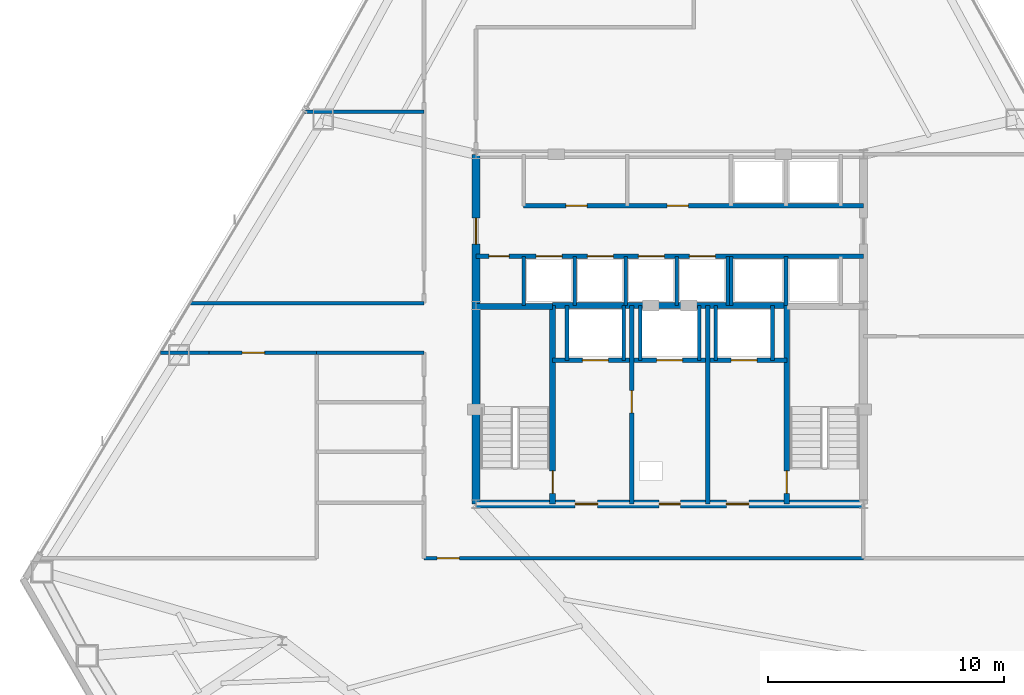
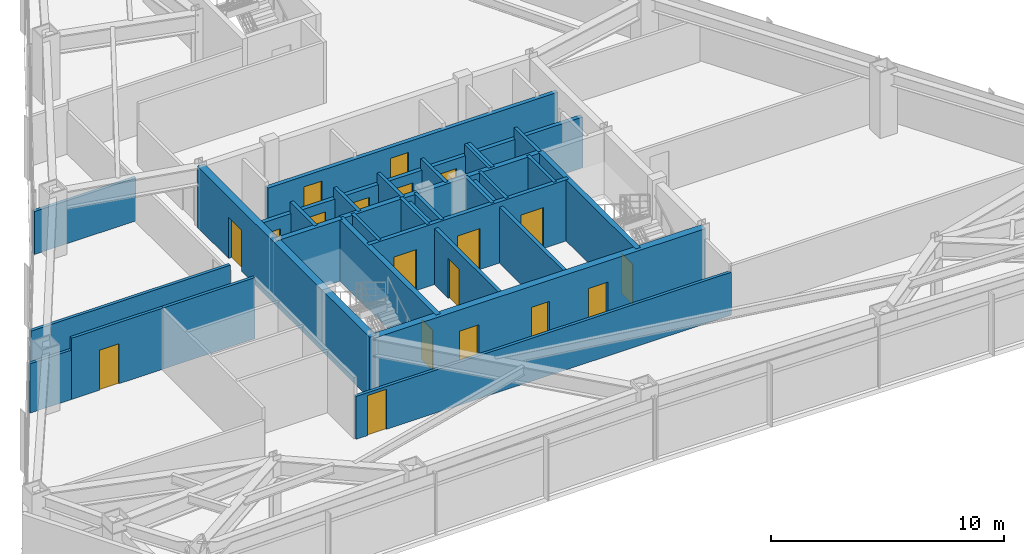
# One storey, part 9 of 11: 30 walls, 19 doors, 19 openings.
"""IFC4 building model written with IfcOpenShell, lengths in metres."""

from ifc_helpers import new_model, si_unit, direction, frame, frame_2d, origin, place, context, subcontext, project, spatial, rectangle, extrude, material, layer, layer_set, type_object, element, fill, save


model = new_model("IFC4")

# Units and contexts
model_context = context("Model", 3, precision=1e-05, world=origin(), true_north=direction((0.0, 1.0)))
body_context = subcontext(model_context, "Body", "Model", "MODEL_VIEW")
ifc_project = project(units=[si_unit("LENGTHUNIT", "METRE"), si_unit("AREAUNIT", "SQUARE_METRE"), si_unit("VOLUMEUNIT", "CUBIC_METRE"), si_unit("PLANEANGLEUNIT", "RADIAN"), si_unit("MASSUNIT", "GRAM", prefix="KILO")], contexts=[model_context])

# Site, building, storey
site_placement = place(None, origin())
site = spatial("IfcSite", under=ifc_project, at=site_placement, CompositionType="ELEMENT")
building_placement = place(site_placement, origin())
building = spatial("IfcBuilding", under=site, at=building_placement, Name="Varakhsha Concourse Tower", CompositionType="ELEMENT")
storey_placement = place(building_placement, frame((0.0, 0.0, 140.14990234375)))
storey = spatial("IfcBuildingStorey", under=building, at=storey_placement, Name="L40", CompositionType="ELEMENT", Elevation=140.14990234375)

# Wall, openings, doors
ifc_material_1 = material(Name="Concrete fc 65 MPa", Category="concrete")
ifc_layer_1 = layer(ifc_material_1, 0.35009765625, Name="WL-CORE-350")
ifc_layer_set_1 = layer_set([ifc_layer_1], Name="Concrete fc 65 MPa")
wall_type_1 = type_object("IfcWallType", Name="WL-CORE-350", PredefinedType="SHEAR", material=ifc_layer_set_1)
wall_1_placement = place(storey_placement, frame((31.800048828125, 16.39990234375, 0.0), z_axis=(0.0, 0.0, 1.0), x_axis=(1.0, 0.0, 0.0)))
wall_1 = element("IfcWall", 1, at=wall_1_placement, inside=storey, type_object=wall_type_1, Name="L40 Wall CWALL-S-L40", PredefinedType="SHEAR", context=body_context, shape_type="SweptSolid", body=[
    extrude(rectangle(XDim=16.39990234375, YDim=0.35009765625, at=frame_2d((8.199951171875, 0.0))), origin(), (0.0, 0.0, 1.0), 3.210205078125),
])
opening_1_placement = place(wall_1_placement, frame((7.75, 0.0, 0.0)))
opening_1 = element("IfcOpeningElement", 2, at=opening_1_placement, cuts=wall_1, Name="Opening DF-06", PredefinedType="OPENING", context=body_context, shape_type="SweptSolid", body=[
    extrude(rectangle(XDim=0.89990234375, YDim=2.10009765625, at=frame_2d((0.449951171875, 1.050048828125))), frame((0.0, 0.18505859375, 0.0), z_axis=(0.0, -1.0, 0.0), x_axis=(1.0, 0.0, 0.0)), (0.0, 0.0, 1.0), 0.3701171875),
])
opening_2_placement = place(wall_1_placement, frame((4.199951171875, 0.0, 0.0)))
opening_2 = element("IfcOpeningElement", 3, at=opening_2_placement, cuts=wall_1, Name="Opening DF-05", PredefinedType="OPENING", context=body_context, shape_type="SweptSolid", body=[
    extrude(rectangle(XDim=0.949951171875, YDim=2.10009765625, at=frame_2d((0.47509765625, 1.050048828125))), frame((0.0, 0.18505859375, 0.0), z_axis=(0.0, -1.0, 0.0), x_axis=(1.0, 0.0, 0.0)), (0.0, 0.0, 1.0), 0.3701171875),
])
opening_3_placement = place(wall_1_placement, frame((10.60009765625, 0.0, 0.0)))
opening_3 = element("IfcOpeningElement", 4, at=opening_3_placement, cuts=wall_1, Name="Opening DF-05", PredefinedType="OPENING", context=body_context, shape_type="SweptSolid", body=[
    extrude(rectangle(XDim=0.949951171875, YDim=2.10009765625, at=frame_2d((0.47509765625, 1.050048828125))), frame((0.0, 0.18505859375, 0.0), z_axis=(0.0, -1.0, 0.0), x_axis=(1.0, 0.0, 0.0)), (0.0, 0.0, 1.0), 0.3701171875),
])
ifc_material_2 = material(Name="Hollow Galvanised Steel Fire Door Assembly", Category="steel")
door_type_1 = type_object("IfcDoorType", Name="DR-FD60-900", OperationType="NOTDEFINED", PredefinedType="DOOR", material=ifc_material_2)
door_1_placement = place(opening_1_placement, origin())
door_1 = element("IfcDoor", 5, at=door_1_placement, inside=storey, type_object=door_type_1, Name="L40 Service Riser Vestibule Door", OperationType="SINGLE_SWING_LEFT", OverallHeight=2.10009765625, OverallWidth=0.89990234375, PredefinedType="DOOR", context=body_context, shape_type="SweptSolid", body=[
    extrude(rectangle(XDim=0.89990234375, YDim=2.10009765625, at=frame_2d((0.449951171875, 1.050048828125))), frame((0.0, 0.02490234375, 0.0), z_axis=(0.0, -1.0, 0.0), x_axis=(1.0, 0.0, 0.0)), (0.0, 0.0, 1.0), 0.050048828125),
])
fill(opening_1, door_1)
door_type_2 = type_object("IfcDoorType", Name="DR-FD60-950", OperationType="NOTDEFINED", PredefinedType="DOOR", material=ifc_material_2)
door_2_placement = place(opening_2_placement, origin())
door_2 = element("IfcDoor", 6, at=door_2_placement, inside=storey, type_object=door_type_2, Name="L40 Firefighting Lobby West Door", OperationType="SINGLE_SWING_RIGHT", OverallHeight=2.10009765625, OverallWidth=0.949951171875, PredefinedType="DOOR", context=body_context, shape_type="SweptSolid", body=[
    extrude(rectangle(XDim=0.949951171875, YDim=2.10009765625, at=frame_2d((0.47509765625, 1.050048828125))), frame((0.0, 0.02490234375, 0.0), z_axis=(0.0, -1.0, 0.0), x_axis=(1.0, 0.0, 0.0)), (0.0, 0.0, 1.0), 0.050048828125),
])
fill(opening_2, door_2)
door_3_placement = place(opening_3_placement, origin())
door_3 = element("IfcDoor", 7, at=door_3_placement, inside=storey, type_object=door_type_2, Name="L40 Firefighting Lobby East Door", OperationType="SINGLE_SWING_LEFT", OverallHeight=2.10009765625, OverallWidth=0.949951171875, PredefinedType="DOOR", context=body_context, shape_type="SweptSolid", body=[
    extrude(rectangle(XDim=0.949951171875, YDim=2.10009765625, at=frame_2d((0.47509765625, 1.050048828125))), frame((0.0, 0.02490234375, 0.0), z_axis=(0.0, -1.0, 0.0), x_axis=(1.0, 0.0, 0.0)), (0.0, 0.0, 1.0), 0.050048828125),
])
fill(opening_3, door_3)

# Wall, opening, door
wall_2_placement = place(storey_placement, frame((31.800048828125, 16.39990234375, 0.0), z_axis=(0.0, 0.0, 1.0), x_axis=(0.0, 1.0, 0.0)))
wall_2 = element("IfcWall", 8, at=wall_2_placement, inside=storey, type_object=wall_type_1, Name="L40 Wall CWALL-W-L40", PredefinedType="SHEAR", context=body_context, shape_type="SweptSolid", body=[
    extrude(rectangle(XDim=14.800048828125, YDim=0.35009765625, at=frame_2d((7.39990234375, 0.0))), origin(), (0.0, 0.0, 1.0), 3.210205078125),
])
opening_4_placement = place(wall_2_placement, frame((11.0, 0.0, 0.0)))
opening_4 = element("IfcOpeningElement", 9, at=opening_4_placement, cuts=wall_2, Name="Opening DL-01", PredefinedType="OPENING", context=body_context, shape_type="SweptSolid", body=[
    extrude(rectangle(XDim=1.10009765625, YDim=2.14990234375, at=frame_2d((0.550048828125, 1.074951171875))), frame((0.0, 0.18505859375, 0.0), z_axis=(0.0, -1.0, 0.0), x_axis=(1.0, 0.0, 0.0)), (0.0, 0.0, 1.0), 0.3701171875),
])
ifc_material_3 = material(Name="Anodised Bronze Architectural Aluminium AA 6063-T6", Category="aluminium")
door_type_3 = type_object("IfcDoorType", Name="DR-LOB-1100", OperationType="NOTDEFINED", PredefinedType="DOOR", material=ifc_material_3)
door_4_placement = place(opening_4_placement, origin())
door_4 = element("IfcDoor", 10, at=door_4_placement, inside=storey, type_object=door_type_3, Name="L40 Lift Lobby West Concourse Door", OperationType="SINGLE_SWING_LEFT", OverallHeight=2.14990234375, OverallWidth=1.10009765625, PredefinedType="DOOR", context=body_context, shape_type="SweptSolid", body=[
    extrude(rectangle(XDim=1.10009765625, YDim=2.14990234375, at=frame_2d((0.550048828125, 1.074951171875))), frame((0.0, 0.02490234375, 0.0), z_axis=(0.0, -1.0, 0.0), x_axis=(1.0, 0.0, 0.0)), (0.0, 0.0, 1.0), 0.050048828125),
])
fill(opening_4, door_4)

ifc_material_4 = material(Name="Fire-Rated Type X Gypsum Partition Assembly", Category="gypsum")
ifc_layer_2 = layer(ifc_material_4, 0.179931640625, Name="WL-FFLOB-180")
ifc_layer_set_2 = layer_set([ifc_layer_2], Name="Fire-Rated Type X Gypsum Partition Assembly")
wall_type_2 = type_object("IfcWallType", Name="WL-FFLOB-180", PredefinedType="PARTITIONING", material=ifc_layer_set_2)
wall_3_placement = place(storey_placement, frame((38.389892578125, 16.39990234375, 0.0), z_axis=(0.0, 0.0, 1.0), x_axis=(0.0, 1.0, 0.0)))
wall_3 = element("IfcWall", 11, at=wall_3_placement, inside=storey, type_object=wall_type_2, Name="L40 Wall FFW-1E-L40", PredefinedType="PARTITIONING", context=body_context, shape_type="SweptSolid", body=[
    extrude(rectangle(XDim=8.400146484375, YDim=0.179931640625, at=frame_2d((4.2001953125, 0.0))), origin(), (0.0, 0.0, 1.0), 2.93798828125),
])
opening_5_placement = place(wall_3_placement, frame((3.85009765625, 0.0, 0.0)))
opening_5 = element("IfcOpeningElement", 12, at=opening_5_placement, cuts=wall_3, Name="Opening DF-05", PredefinedType="OPENING", context=body_context, shape_type="SweptSolid", body=[
    extrude(rectangle(XDim=0.949951171875, YDim=2.10009765625, at=frame_2d((0.47509765625, 1.050048828125))), frame((0.0, 0.099853515625, 0.0), z_axis=(0.0, -1.0, 0.0), x_axis=(1.0, 0.0, 0.0)), (0.0, 0.0, 1.0), 0.199951171875),
])
door_5_placement = place(opening_5_placement, origin())
door_5 = element("IfcDoor", 13, at=door_5_placement, inside=storey, type_object=door_type_2, Name="L40 Service Vestibule Door", OperationType="SINGLE_SWING_RIGHT", OverallHeight=2.10009765625, OverallWidth=0.949951171875, PredefinedType="DOOR", context=body_context, shape_type="SweptSolid", body=[
    extrude(rectangle(XDim=0.949951171875, YDim=2.10009765625, at=frame_2d((0.47509765625, 1.050048828125))), frame((0.0, 0.02490234375, 0.0), z_axis=(0.0, -1.0, 0.0), x_axis=(1.0, 0.0, 0.0)), (0.0, 0.0, 1.0), 0.050048828125),
])
fill(opening_5, door_5)

# Wall
wall_4_placement = place(storey_placement, frame((41.610107421875, 16.39990234375, 0.0), z_axis=(0.0, 0.0, 1.0), x_axis=(0.0, 1.0, 0.0)))
element("IfcWall", 14, at=wall_4_placement, inside=storey, type_object=wall_type_2, Name="L40 Wall FFW-2W-L40", PredefinedType="PARTITIONING", context=body_context, shape_type="SweptSolid", body=[
    extrude(rectangle(XDim=8.400146484375, YDim=0.179931640625, at=frame_2d((4.2001953125, 0.0))), origin(), (0.0, 0.0, 1.0), 2.93798828125),
])

# Wall, opening, door
ifc_layer_3 = layer(ifc_material_4, 0.14990234375, Name="WL-PART-150")
ifc_layer_set_3 = layer_set([ifc_layer_3], Name="Fire-Rated Type X Gypsum Partition Assembly")
wall_type_3 = type_object("IfcWallType", Name="WL-PART-150", PredefinedType="PARTITIONING", material=ifc_layer_set_3)
wall_5_placement = place(storey_placement, frame((29.60009765625, 14.10009765625, 0.0), z_axis=(0.0, 0.0, 1.0), x_axis=(1.0, 0.0, 0.0)))
wall_5 = element("IfcWall", 15, at=wall_5_placement, inside=storey, type_object=wall_type_3, Name="L40 Wall CRW-S-L40", PredefinedType="PARTITIONING", context=body_context, shape_type="SweptSolid", body=[
    extrude(rectangle(XDim=18.599853515625, YDim=0.14990234375, at=frame_2d((9.2998046875, 0.0))), origin(), (0.0, 0.0, 1.0), 2.252197265625),
])
opening_6_placement = place(wall_5_placement, frame((0.550048828125, 0.0, 0.0)))
opening_6 = element("IfcOpeningElement", 16, at=opening_6_placement, cuts=wall_5, Name="Opening DF-05", PredefinedType="OPENING", context=body_context, shape_type="SweptSolid", body=[
    extrude(rectangle(XDim=0.949951171875, YDim=2.10009765625, at=frame_2d((0.47509765625, 1.050048828125))), frame((0.0, 0.0849609375, 0.0), z_axis=(0.0, -1.0, 0.0), x_axis=(1.0, 0.0, 0.0)), (0.0, 0.0, 1.0), 0.169921875),
])
door_6_placement = place(opening_6_placement, origin())
door_6 = element("IfcDoor", 17, at=door_6_placement, inside=storey, type_object=door_type_2, Name="L40 Portfolio Risk Office L40-S1 Door", OperationType="SINGLE_SWING_LEFT", OverallHeight=2.10009765625, OverallWidth=0.949951171875, PredefinedType="DOOR", context=body_context, shape_type="SweptSolid", body=[
    extrude(rectangle(XDim=0.949951171875, YDim=2.10009765625, at=frame_2d((0.47509765625, 1.050048828125))), frame((0.0, 0.02490234375, 0.0), z_axis=(0.0, -1.0, 0.0), x_axis=(1.0, 0.0, 0.0)), (0.0, 0.0, 1.0), 0.050048828125),
])
fill(opening_6, door_6)

# Walls
wall_6_placement = place(storey_placement, frame((18.448486328125, 22.800048828125, 0.0), z_axis=(0.0, 0.0, 1.0), x_axis=(1.0, 0.0, 0.0)))
element("IfcWall", 18, at=wall_6_placement, inside=storey, type_object=wall_type_3, Name="L40 Wall CRW-WWS-W-L40", PredefinedType="PARTITIONING", context=body_context, shape_type="SweptSolid", body=[
    extrude(rectangle(XDim=2.051513671875, YDim=0.14990234375, at=frame_2d((1.02587890625, 0.0))), origin(), (0.0, 0.0, 1.0), 2.589111328125),
])
wall_7_placement = place(storey_placement, frame((25.050048828125, 22.800048828125, 0.0), z_axis=(0.0, 0.0, 1.0), x_axis=(1.0, 0.0, 0.0)))
element("IfcWall", 19, at=wall_7_placement, inside=storey, type_object=wall_type_3, Name="L40 Wall CRW-WWS-E-L40", PredefinedType="PARTITIONING", context=body_context, shape_type="SweptSolid", body=[
    extrude(rectangle(XDim=4.550048828125, YDim=0.14990234375, at=frame_2d((2.27490234375, 0.0))), origin(), (0.0, 0.0, 1.0), 3.210205078125),
])
wall_8_placement = place(storey_placement, frame((19.703369140625, 24.89990234375, 0.0), z_axis=(0.0, 0.0, 1.0), x_axis=(1.0, 0.0, 0.0)))
element("IfcWall", 20, at=wall_8_placement, inside=storey, type_object=wall_type_3, Name="L40 Wall CRW-WWN-L40", PredefinedType="PARTITIONING", context=body_context, shape_type="SweptSolid", body=[
    extrude(rectangle(XDim=9.896728515625, YDim=0.14990234375, at=frame_2d((4.9482421875, 0.0))), origin(), (0.0, 0.0, 1.0), 2.589111328125),
])

# Wall, opening, door
wall_9_placement = place(storey_placement, frame((20.5, 22.800048828125, 0.0), z_axis=(0.0, 0.0, 1.0), x_axis=(1.0, 0.0, 0.0)))
wall_9 = element("IfcWall", 21, at=wall_9_placement, inside=storey, type_object=wall_type_3, Name="L40 Wall CRW-WWS-DOOR-L40", PredefinedType="PARTITIONING", context=body_context, shape_type="SweptSolid", body=[
    extrude(rectangle(XDim=4.550048828125, YDim=0.14990234375, at=frame_2d((2.27490234375, 0.0))), origin(), (0.0, 0.0, 1.0), 3.210205078125),
])
opening_7_placement = place(wall_9_placement, frame((1.39990234375, 0.0, 0.0)))
opening_7 = element("IfcOpeningElement", 22, at=opening_7_placement, cuts=wall_9, Name="Opening DF-05", PredefinedType="OPENING", context=body_context, shape_type="SweptSolid", body=[
    extrude(rectangle(XDim=0.949951171875, YDim=2.10009765625, at=frame_2d((0.47509765625, 1.050048828125))), frame((0.0, 0.0849609375, 0.0), z_axis=(0.0, -1.0, 0.0), x_axis=(1.0, 0.0, 0.0)), (0.0, 0.0, 1.0), 0.169921875),
])
door_7_placement = place(opening_7_placement, origin())
door_7 = element("IfcDoor", 23, at=door_7_placement, inside=storey, type_object=door_type_2, Name="L40 Institutional Client Office L40-SW Door", OperationType="SINGLE_SWING_LEFT", OverallHeight=2.10009765625, OverallWidth=0.949951171875, PredefinedType="DOOR", context=body_context, shape_type="SweptSolid", body=[
    extrude(rectangle(XDim=0.949951171875, YDim=2.10009765625, at=frame_2d((0.47509765625, 1.050048828125))), frame((0.0, 0.02490234375, 0.0), z_axis=(0.0, -1.0, 0.0), x_axis=(1.0, 0.0, 0.0)), (0.0, 0.0, 1.0), 0.050048828125),
])
fill(opening_7, door_7)

# Wall
wall_10_placement = place(storey_placement, frame((24.544189453125, 33.0, 0.0), z_axis=(0.0, 0.0, 1.0), x_axis=(1.0, 0.0, 0.0)))
element("IfcWall", 24, at=wall_10_placement, inside=storey, type_object=wall_type_3, Name="L40 Wall ODIV-W1-L40", PredefinedType="PARTITIONING", context=body_context, shape_type="SweptSolid", body=[
    extrude(rectangle(XDim=5.055908203125, YDim=0.14990234375, at=frame_2d((2.52783203125, 0.0))), origin(), (0.0, 0.0, 1.0), 2.252197265625),
])

# Wall, openings, doors
ifc_layer_4 = layer(ifc_material_4, 0.199951171875, Name="WL-SHAFT-220")
ifc_layer_set_4 = layer_set([ifc_layer_4], Name="Fire-Rated Type X Gypsum Partition Assembly")
wall_type_4 = type_object("IfcWallType", Name="WL-SHAFT-220", PredefinedType="SOLIDWALL", material=ifc_layer_set_4)
wall_11_placement = place(storey_placement, frame((35.044921875, 22.47998046875, 0.0), z_axis=(0.0, 0.0, 1.0), x_axis=(1.0, 0.0, 0.0)))
wall_11 = element("IfcWall", 25, at=wall_11_placement, inside=storey, type_object=wall_type_4, Name="L40 Wall FFW-NH-L40", PredefinedType="SOLIDWALL", context=body_context, shape_type="SweptSolid", body=[
    extrude(rectangle(XDim=9.91015625, YDim=0.199951171875, at=frame_2d((4.955078125, 0.0))), origin(), (0.0, 0.0, 1.0), 3.210205078125),
])
opening_8_placement = place(wall_11_placement, frame((1.2548828125, 0.0, 0.0)))
opening_8 = element("IfcOpeningElement", 26, at=opening_8_placement, cuts=wall_11, Name="Opening LD-FFL-1", PredefinedType="OPENING", context=body_context, shape_type="SweptSolid", body=[
    extrude(rectangle(XDim=1.10009765625, YDim=2.14990234375, at=frame_2d((0.550048828125, 1.074951171875))), frame((0.0, 0.10986328125, 0.0), z_axis=(0.0, -1.0, 0.0), x_axis=(1.0, 0.0, 0.0)), (0.0, 0.0, 1.0), 0.219970703125),
])
opening_9_placement = place(wall_11_placement, frame((7.554931640625, 0.0, 0.0)))
opening_9 = element("IfcOpeningElement", 27, at=opening_9_placement, cuts=wall_11, Name="Opening LD-FFL-2", PredefinedType="OPENING", context=body_context, shape_type="SweptSolid", body=[
    extrude(rectangle(XDim=1.10009765625, YDim=2.14990234375, at=frame_2d((0.550048828125, 1.074951171875))), frame((0.0, 0.10986328125, 0.0), z_axis=(0.0, -1.0, 0.0), x_axis=(1.0, 0.0, 0.0)), (0.0, 0.0, 1.0), 0.219970703125),
])
opening_10_placement = place(wall_11_placement, frame((4.405029296875, 0.0, 0.0)))
opening_10 = element("IfcOpeningElement", 28, at=opening_10_placement, cuts=wall_11, Name="Opening LD-SVL-1", PredefinedType="OPENING", context=body_context, shape_type="SweptSolid", body=[
    extrude(rectangle(XDim=1.10009765625, YDim=2.14990234375, at=frame_2d((0.550048828125, 1.074951171875))), frame((0.0, 0.10986328125, 0.0), z_axis=(0.0, -1.0, 0.0), x_axis=(1.0, 0.0, 0.0)), (0.0, 0.0, 1.0), 0.219970703125),
])
ifc_material_5 = material(Name="Brushed Austenitic Stainless Steel AISI 316", Category="steel")
door_type_4 = type_object("IfcDoorType", Name="DR-LD-1100", OperationType="DOUBLE_DOOR_SLIDING", PredefinedType="DOOR", material=ifc_material_5)
door_8_placement = place(opening_8_placement, origin())
door_8 = element("IfcDoor", 29, at=door_8_placement, inside=storey, type_object=door_type_4, Name="Lift Landing Door FFL-1 L40", OperationType="DOUBLE_DOOR_SLIDING", OverallHeight=2.14990234375, OverallWidth=1.10009765625, PredefinedType="DOOR", context=body_context, shape_type="SweptSolid", body=[
    extrude(rectangle(XDim=1.10009765625, YDim=2.14990234375, at=frame_2d((0.550048828125, 1.074951171875))), frame((0.0, 0.02490234375, 0.0), z_axis=(0.0, -1.0, 0.0), x_axis=(1.0, 0.0, 0.0)), (0.0, 0.0, 1.0), 0.050048828125),
])
fill(opening_8, door_8)
door_9_placement = place(opening_9_placement, origin())
door_9 = element("IfcDoor", 30, at=door_9_placement, inside=storey, type_object=door_type_4, Name="Lift Landing Door FFL-2 L40", OperationType="DOUBLE_DOOR_SLIDING", OverallHeight=2.14990234375, OverallWidth=1.10009765625, PredefinedType="DOOR", context=body_context, shape_type="SweptSolid", body=[
    extrude(rectangle(XDim=1.10009765625, YDim=2.14990234375, at=frame_2d((0.550048828125, 1.074951171875))), frame((0.0, 0.02490234375, 0.0), z_axis=(0.0, -1.0, 0.0), x_axis=(1.0, 0.0, 0.0)), (0.0, 0.0, 1.0), 0.050048828125),
])
fill(opening_9, door_9)
door_10_placement = place(opening_10_placement, origin())
door_10 = element("IfcDoor", 31, at=door_10_placement, inside=storey, type_object=door_type_4, Name="Lift Landing Door SVL-1 L40", OperationType="DOUBLE_DOOR_SLIDING", OverallHeight=2.14990234375, OverallWidth=1.10009765625, PredefinedType="DOOR", context=body_context, shape_type="SweptSolid", body=[
    extrude(rectangle(XDim=1.10009765625, YDim=2.14990234375, at=frame_2d((0.550048828125, 1.074951171875))), frame((0.0, 0.02490234375, 0.0), z_axis=(0.0, -1.0, 0.0), x_axis=(1.0, 0.0, 0.0)), (0.0, 0.0, 1.0), 0.050048828125),
])
fill(opening_10, door_10)

# Walls
for number, where, z_axis, x_axis, name in (
    (32, (35.64990234375, 22.47998046875, 0.0), (0.0, 0.0, 1.0), (0.0, 1.0, 0.0), "L40 Wall SHW-FFL-1-W-L40"),
    (33, (38.050048828125, 22.47998046875, 0.0), (0.0, 0.0, 1.0), (0.0, 1.0, 0.0), "L40 Wall SHW-FFL-1-E-L40"),
    (34, (41.949951171875, 22.47998046875, 0.0), (0.0, 0.0, 1.0), (0.0, 1.0, 0.0), "L40 Wall SHW-FFL-2-W-L40"),
    (35, (44.35009765625, 22.47998046875, 0.0), (0.0, 0.0, 1.0), (0.0, 1.0, 0.0), "L40 Wall SHW-FFL-2-E-L40"),
    (36, (38.75, 22.47998046875, 0.0), (0.0, 0.0, 1.0), (0.0, 1.0, 0.0), "L40 Wall SHW-SVL-1-W-L40"),
    (37, (41.25, 22.47998046875, 0.0), (0.0, 0.0, 1.0), (0.0, 1.0, 0.0), "L40 Wall SHW-SVL-1-E-L40"),
):
    element("IfcWall", number, at=place(storey_placement, frame(where, z_axis=z_axis, x_axis=x_axis)), inside=storey, type_object=wall_type_4, Name=name, PredefinedType="SOLIDWALL", context=body_context, shape_type="SweptSolid", body=[
        extrude(rectangle(XDim=2.320068359375, YDim=0.159912109375, at=frame_2d((1.16015625, 0.0))), origin(), (0.0, 0.0, 1.0), 3.210205078125),
    ])

# Wall, openings, doors
wall_12_placement = place(storey_placement, frame((33.820068359375, 29.02001953125, 0.0), z_axis=(0.0, 0.0, 1.0), x_axis=(1.0, 0.0, 0.0)))
wall_12 = element("IfcWall", 38, at=wall_12_placement, inside=storey, type_object=wall_type_4, Name="L40 Wall PLW-N-L40", PredefinedType="SOLIDWALL", context=body_context, shape_type="SweptSolid", body=[
    extrude(rectangle(XDim=14.3798828125, YDim=0.199951171875, at=frame_2d((7.18994140625, 0.0))), origin(), (0.0, 0.0, 1.0), 2.6611328125),
])
opening_11_placement = place(wall_12_placement, frame((1.780029296875, 0.0, 0.0)))
opening_11 = element("IfcOpeningElement", 39, at=opening_11_placement, cuts=wall_12, Name="Opening DF-06", PredefinedType="OPENING", context=body_context, shape_type="SweptSolid", body=[
    extrude(rectangle(XDim=0.89990234375, YDim=2.10009765625, at=frame_2d((0.449951171875, 1.050048828125))), frame((0.0, 0.10986328125, 0.0), z_axis=(0.0, -1.0, 0.0), x_axis=(1.0, 0.0, 0.0)), (0.0, 0.0, 1.0), 0.219970703125),
])
opening_12_placement = place(wall_12_placement, frame((6.070068359375, 0.0, 0.0)))
opening_12 = element("IfcOpeningElement", 40, at=opening_12_placement, cuts=wall_12, Name="Opening DF-06", PredefinedType="OPENING", context=body_context, shape_type="SweptSolid", body=[
    extrude(rectangle(XDim=0.89990234375, YDim=2.10009765625, at=frame_2d((0.449951171875, 1.050048828125))), frame((0.0, 0.10986328125, 0.0), z_axis=(0.0, -1.0, 0.0), x_axis=(1.0, 0.0, 0.0)), (0.0, 0.0, 1.0), 0.219970703125),
])
door_11_placement = place(opening_11_placement, origin())
door_11 = element("IfcDoor", 41, at=door_11_placement, inside=storey, type_object=door_type_1, Name="L40 Tenant Archive and IT Server Room Door", OperationType="SINGLE_SWING_LEFT", OverallHeight=2.10009765625, OverallWidth=0.89990234375, PredefinedType="DOOR", context=body_context, shape_type="SweptSolid", body=[
    extrude(rectangle(XDim=0.89990234375, YDim=2.10009765625, at=frame_2d((0.449951171875, 1.050048828125))), frame((0.0, 0.02490234375, 0.0), z_axis=(0.0, -1.0, 0.0), x_axis=(1.0, 0.0, 0.0)), (0.0, 0.0, 1.0), 0.050048828125),
])
fill(opening_11, door_11)
door_12_placement = place(opening_12_placement, origin())
door_12 = element("IfcDoor", 42, at=door_12_placement, inside=storey, type_object=door_type_1, Name="L40 Core Facility Closet N1 Door", OperationType="SINGLE_SWING_RIGHT", OverallHeight=2.10009765625, OverallWidth=0.89990234375, PredefinedType="DOOR", context=body_context, shape_type="SweptSolid", body=[
    extrude(rectangle(XDim=0.89990234375, YDim=2.10009765625, at=frame_2d((0.449951171875, 1.050048828125))), frame((0.0, 0.02490234375, 0.0), z_axis=(0.0, -1.0, 0.0), x_axis=(1.0, 0.0, 0.0)), (0.0, 0.0, 1.0), 0.050048828125),
])
fill(opening_12, door_12)

wall_13_placement = place(storey_placement, frame((31.800048828125, 26.8798828125, 0.0), z_axis=(0.0, 0.0, 1.0), x_axis=(1.0, 0.0, 0.0)))
wall_13 = element("IfcWall", 43, at=wall_13_placement, inside=storey, type_object=wall_type_4, Name="L40 Wall PLW-S-L40", PredefinedType="SOLIDWALL", context=body_context, shape_type="SweptSolid", body=[
    extrude(rectangle(XDim=16.39990234375, YDim=0.199951171875, at=frame_2d((8.199951171875, 0.0))), origin(), (0.0, 0.0, 1.0), 2.6611328125),
])
opening_13_placement = place(wall_13_placement, frame((0.550048828125, 0.0, 0.0)))
opening_13 = element("IfcOpeningElement", 44, at=opening_13_placement, cuts=wall_13, Name="Opening DF-07", PredefinedType="OPENING", context=body_context, shape_type="SweptSolid", body=[
    extrude(rectangle(XDim=0.85009765625, YDim=2.050048828125, at=frame_2d((0.425048828125, 1.02490234375))), frame((0.0, 0.10986328125, 0.0), z_axis=(0.0, -1.0, 0.0), x_axis=(1.0, 0.0, 0.0)), (0.0, 0.0, 1.0), 0.219970703125),
])
opening_14_placement = place(wall_13_placement, frame((2.550048828125, 0.0, 0.0)))
opening_14 = element("IfcOpeningElement", 45, at=opening_14_placement, cuts=wall_13, Name="Opening LD-LF-P05", PredefinedType="OPENING", context=body_context, shape_type="SweptSolid", body=[
    extrude(rectangle(XDim=1.10009765625, YDim=2.14990234375, at=frame_2d((0.550048828125, 1.074951171875))), frame((0.0, 0.10986328125, 0.0), z_axis=(0.0, -1.0, 0.0), x_axis=(1.0, 0.0, 0.0)), (0.0, 0.0, 1.0), 0.219970703125),
])
opening_15_placement = place(wall_13_placement, frame((4.7099609375, 0.0, 0.0)))
opening_15 = element("IfcOpeningElement", 46, at=opening_15_placement, cuts=wall_13, Name="Opening LD-LF-P06", PredefinedType="OPENING", context=body_context, shape_type="SweptSolid", body=[
    extrude(rectangle(XDim=1.10009765625, YDim=2.14990234375, at=frame_2d((0.550048828125, 1.074951171875))), frame((0.0, 0.10986328125, 0.0), z_axis=(0.0, -1.0, 0.0), x_axis=(1.0, 0.0, 0.0)), (0.0, 0.0, 1.0), 0.219970703125),
])
opening_16_placement = place(wall_13_placement, frame((6.8701171875, 0.0, 0.0)))
opening_16 = element("IfcOpeningElement", 47, at=opening_16_placement, cuts=wall_13, Name="Opening LD-LF-P07", PredefinedType="OPENING", context=body_context, shape_type="SweptSolid", body=[
    extrude(rectangle(XDim=1.10009765625, YDim=2.14990234375, at=frame_2d((0.550048828125, 1.074951171875))), frame((0.0, 0.10986328125, 0.0), z_axis=(0.0, -1.0, 0.0), x_axis=(1.0, 0.0, 0.0)), (0.0, 0.0, 1.0), 0.219970703125),
])
opening_17_placement = place(wall_13_placement, frame((9.030029296875, 0.0, 0.0)))
opening_17 = element("IfcOpeningElement", 48, at=opening_17_placement, cuts=wall_13, Name="Opening LD-LF-P08", PredefinedType="OPENING", context=body_context, shape_type="SweptSolid", body=[
    extrude(rectangle(XDim=1.10009765625, YDim=2.14990234375, at=frame_2d((0.550048828125, 1.074951171875))), frame((0.0, 0.10986328125, 0.0), z_axis=(0.0, -1.0, 0.0), x_axis=(1.0, 0.0, 0.0)), (0.0, 0.0, 1.0), 0.219970703125),
])
door_type_5 = type_object("IfcDoorType", Name="DR-FD60-850", OperationType="NOTDEFINED", PredefinedType="DOOR", material=ifc_material_2)
door_13_placement = place(opening_13_placement, origin())
door_13 = element("IfcDoor", 49, at=door_13_placement, inside=storey, type_object=door_type_5, Name="L40 Core Telecoms Closet Door", OperationType="SINGLE_SWING_RIGHT", OverallHeight=2.050048828125, OverallWidth=0.85009765625, PredefinedType="DOOR", context=body_context, shape_type="SweptSolid", body=[
    extrude(rectangle(XDim=0.85009765625, YDim=2.050048828125, at=frame_2d((0.425048828125, 1.02490234375))), frame((0.0, 0.02490234375, 0.0), z_axis=(0.0, -1.0, 0.0), x_axis=(1.0, 0.0, 0.0)), (0.0, 0.0, 1.0), 0.050048828125),
])
fill(opening_13, door_13)
door_14_placement = place(opening_14_placement, origin())
door_14 = element("IfcDoor", 50, at=door_14_placement, inside=storey, type_object=door_type_4, Name="Lift Landing Door LF-P05 L40", OperationType="DOUBLE_DOOR_SLIDING", OverallHeight=2.14990234375, OverallWidth=1.10009765625, PredefinedType="DOOR", context=body_context, shape_type="SweptSolid", body=[
    extrude(rectangle(XDim=1.10009765625, YDim=2.14990234375, at=frame_2d((0.550048828125, 1.074951171875))), frame((0.0, 0.02490234375, 0.0), z_axis=(0.0, -1.0, 0.0), x_axis=(1.0, 0.0, 0.0)), (0.0, 0.0, 1.0), 0.050048828125),
])
fill(opening_14, door_14)
door_15_placement = place(opening_15_placement, origin())
door_15 = element("IfcDoor", 51, at=door_15_placement, inside=storey, type_object=door_type_4, Name="Lift Landing Door LF-P06 L40", OperationType="DOUBLE_DOOR_SLIDING", OverallHeight=2.14990234375, OverallWidth=1.10009765625, PredefinedType="DOOR", context=body_context, shape_type="SweptSolid", body=[
    extrude(rectangle(XDim=1.10009765625, YDim=2.14990234375, at=frame_2d((0.550048828125, 1.074951171875))), frame((0.0, 0.02490234375, 0.0), z_axis=(0.0, -1.0, 0.0), x_axis=(1.0, 0.0, 0.0)), (0.0, 0.0, 1.0), 0.050048828125),
])
fill(opening_15, door_15)
door_16_placement = place(opening_16_placement, origin())
door_16 = element("IfcDoor", 52, at=door_16_placement, inside=storey, type_object=door_type_4, Name="Lift Landing Door LF-P07 L40", OperationType="DOUBLE_DOOR_SLIDING", OverallHeight=2.14990234375, OverallWidth=1.10009765625, PredefinedType="DOOR", context=body_context, shape_type="SweptSolid", body=[
    extrude(rectangle(XDim=1.10009765625, YDim=2.14990234375, at=frame_2d((0.550048828125, 1.074951171875))), frame((0.0, 0.02490234375, 0.0), z_axis=(0.0, -1.0, 0.0), x_axis=(1.0, 0.0, 0.0)), (0.0, 0.0, 1.0), 0.050048828125),
])
fill(opening_16, door_16)
door_17_placement = place(opening_17_placement, origin())
door_17 = element("IfcDoor", 53, at=door_17_placement, inside=storey, type_object=door_type_4, Name="Lift Landing Door LF-P08 L40", OperationType="DOUBLE_DOOR_SLIDING", OverallHeight=2.14990234375, OverallWidth=1.10009765625, PredefinedType="DOOR", context=body_context, shape_type="SweptSolid", body=[
    extrude(rectangle(XDim=1.10009765625, YDim=2.14990234375, at=frame_2d((0.550048828125, 1.074951171875))), frame((0.0, 0.02490234375, 0.0), z_axis=(0.0, -1.0, 0.0), x_axis=(1.0, 0.0, 0.0)), (0.0, 0.0, 1.0), 0.050048828125),
])
fill(opening_17, door_17)

# Walls
for number, where, z_axis, x_axis, name in (
    (54, (33.820068359375, 24.800048828125, 0.0), (0.0, 0.0, 1.0), (0.0, 1.0, 0.0), "L40 Wall WBOH-E2-L40"),
    (55, (35.97998046875, 24.800048828125, 0.0), (0.0, 0.0, 1.0), (0.0, 1.0, 0.0), "L40 Wall SHW-LF-P05-E-L40"),
    (56, (38.139892578125, 24.800048828125, 0.0), (0.0, 0.0, 1.0), (0.0, 1.0, 0.0), "L40 Wall SHW-LF-P06-E-L40"),
    (57, (40.300048828125, 24.800048828125, 0.0), (0.0, 0.0, 1.0), (0.0, 1.0, 0.0), "L40 Wall SHW-LF-P07-E-L40"),
    (58, (42.4599609375, 24.800048828125, 0.0), (0.0, 0.0, 1.0), (0.0, 1.0, 0.0), "L40 Wall SHW-LF-P08-E-L40"),
    (59, (42.60009765625, 24.800048828125, 0.0), (0.0, 0.0, 1.0), (0.0, 1.0, 0.0), "L40 Wall SHW-LF-P11-W-L40"),
    (60, (44.919921875, 24.800048828125, 0.0), (0.0, 0.0, 1.0), (0.0, 1.0, 0.0), "L40 Wall SHW-LF-P11-E-L40"),
):
    element("IfcWall", number, at=place(storey_placement, frame(where, z_axis=z_axis, x_axis=x_axis)), inside=storey, type_object=wall_type_4, Name=name, PredefinedType="SOLIDWALL", context=body_context, shape_type="SweptSolid", body=[
        extrude(rectangle(XDim=2.079833984375, YDim=0.159912109375, at=frame_2d((1.0400390625, 0.0))), origin(), (0.0, 0.0, 1.0), 3.210205078125),
    ])

# Wall, opening, door
ifc_material_6 = material(Name="Concrete fc 45 MPa", Category="concrete")
ifc_layer_5 = layer(ifc_material_6, 0.25, Name="WL-STAIR-250")
ifc_layer_set_5 = layer_set([ifc_layer_5], Name="Concrete fc 45 MPa")
wall_type_5 = type_object("IfcWallType", Name="WL-STAIR-250", PredefinedType="SHEAR", material=ifc_layer_set_5)
wall_14_placement = place(storey_placement, frame((35.044921875, 16.39990234375, 0.0), z_axis=(0.0, 0.0, 1.0), x_axis=(0.0, 1.0, 0.0)))
wall_14 = element("IfcWall", 61, at=wall_14_placement, inside=storey, type_object=wall_type_5, Name="L40 Wall SWALL-ST1-E-L40", PredefinedType="SHEAR", context=body_context, shape_type="SweptSolid", body=[
    extrude(rectangle(XDim=8.400146484375, YDim=0.25, at=frame_2d((4.2001953125, 0.0))), origin(), (0.0, 0.0, 1.0), 3.210205078125),
])
opening_18_placement = place(wall_14_placement, frame((0.449951171875, 0.0, 0.0)))
opening_18 = element("IfcOpeningElement", 62, at=opening_18_placement, cuts=wall_14, Name="Opening DF-03", PredefinedType="OPENING", context=body_context, shape_type="SweptSolid", body=[
    extrude(rectangle(XDim=0.949951171875, YDim=2.10009765625, at=frame_2d((0.47509765625, 1.050048828125))), frame((0.0, 0.135009765625, 0.0), z_axis=(0.0, -1.0, 0.0), x_axis=(1.0, 0.0, 0.0)), (0.0, 0.0, 1.0), 0.27001953125),
])
door_type_6 = type_object("IfcDoorType", Name="DR-FD90-950", OperationType="NOTDEFINED", PredefinedType="DOOR", material=ifc_material_2)
door_18_placement = place(opening_18_placement, origin())
door_18 = element("IfcDoor", 63, at=door_18_placement, inside=storey, type_object=door_type_6, Name="L40 Stair ST1 Fire Door", OperationType="SINGLE_SWING_LEFT", OverallHeight=2.10009765625, OverallWidth=0.949951171875, PredefinedType="DOOR", context=body_context, shape_type="SweptSolid", body=[
    extrude(rectangle(XDim=0.949951171875, YDim=2.10009765625, at=frame_2d((0.47509765625, 1.050048828125))), frame((0.0, 0.02490234375, 0.0), z_axis=(0.0, -1.0, 0.0), x_axis=(1.0, 0.0, 0.0)), (0.0, 0.0, 1.0), 0.050048828125),
])
fill(opening_18, door_18)

# Wall
wall_15_placement = place(storey_placement, frame((31.800048828125, 24.7548828125, 0.0), z_axis=(0.0, 0.0, 1.0), x_axis=(1.0, 0.0, 0.0)))
element("IfcWall", 64, at=wall_15_placement, inside=storey, type_object=wall_type_5, Name="L40 Wall SWALL-ST1-N-L40", PredefinedType="SHEAR", context=body_context, shape_type="SweptSolid", body=[
    extrude(rectangle(XDim=3.244873046875, YDim=0.25, at=frame_2d((1.62255859375, 0.0))), origin(), (0.0, 0.0, 1.0), 3.210205078125),
])

# Wall, opening, door
wall_16_placement = place(storey_placement, frame((44.955078125, 16.39990234375, 0.0), z_axis=(0.0, 0.0, 1.0), x_axis=(0.0, 1.0, 0.0)))
wall_16 = element("IfcWall", 65, at=wall_16_placement, inside=storey, type_object=wall_type_5, Name="L40 Wall SWALL-ST2-W-L40", PredefinedType="SHEAR", context=body_context, shape_type="SweptSolid", body=[
    extrude(rectangle(XDim=8.400146484375, YDim=0.25, at=frame_2d((4.2001953125, 0.0))), origin(), (0.0, 0.0, 1.0), 3.210205078125),
])
opening_19_placement = place(wall_16_placement, frame((0.449951171875, 0.0, 0.0)))
opening_19 = element("IfcOpeningElement", 66, at=opening_19_placement, cuts=wall_16, Name="Opening DF-03", PredefinedType="OPENING", context=body_context, shape_type="SweptSolid", body=[
    extrude(rectangle(XDim=0.949951171875, YDim=2.10009765625, at=frame_2d((0.47509765625, 1.050048828125))), frame((0.0, 0.135009765625, 0.0), z_axis=(0.0, -1.0, 0.0), x_axis=(1.0, 0.0, 0.0)), (0.0, 0.0, 1.0), 0.27001953125),
])
door_19_placement = place(opening_19_placement, origin())
door_19 = element("IfcDoor", 67, at=door_19_placement, inside=storey, type_object=door_type_6, Name="L40 Stair ST2 Fire Door", OperationType="SINGLE_SWING_RIGHT", OverallHeight=2.10009765625, OverallWidth=0.949951171875, PredefinedType="DOOR", context=body_context, shape_type="SweptSolid", body=[
    extrude(rectangle(XDim=0.949951171875, YDim=2.10009765625, at=frame_2d((0.47509765625, 1.050048828125))), frame((0.0, 0.02490234375, 0.0), z_axis=(0.0, -1.0, 0.0), x_axis=(1.0, 0.0, 0.0)), (0.0, 0.0, 1.0), 0.050048828125),
])
fill(opening_19, door_19)

# Wall
wall_17_placement = place(storey_placement, frame((35.044921875, 24.800048828125, 0.0), z_axis=(0.0, 0.0, 1.0), x_axis=(1.0, 0.0, 0.0)))
element("IfcWall", 68, at=wall_17_placement, inside=storey, type_object=wall_type_5, Name="L40 Wall SWALL-MID-H-L40", PredefinedType="SHEAR", context=body_context, shape_type="SweptSolid", body=[
    extrude(rectangle(XDim=9.91015625, YDim=0.25, at=frame_2d((4.955078125, 0.0))), origin(), (0.0, 0.0, 1.0), 3.210205078125),
])

save(model, "model.ifc")
